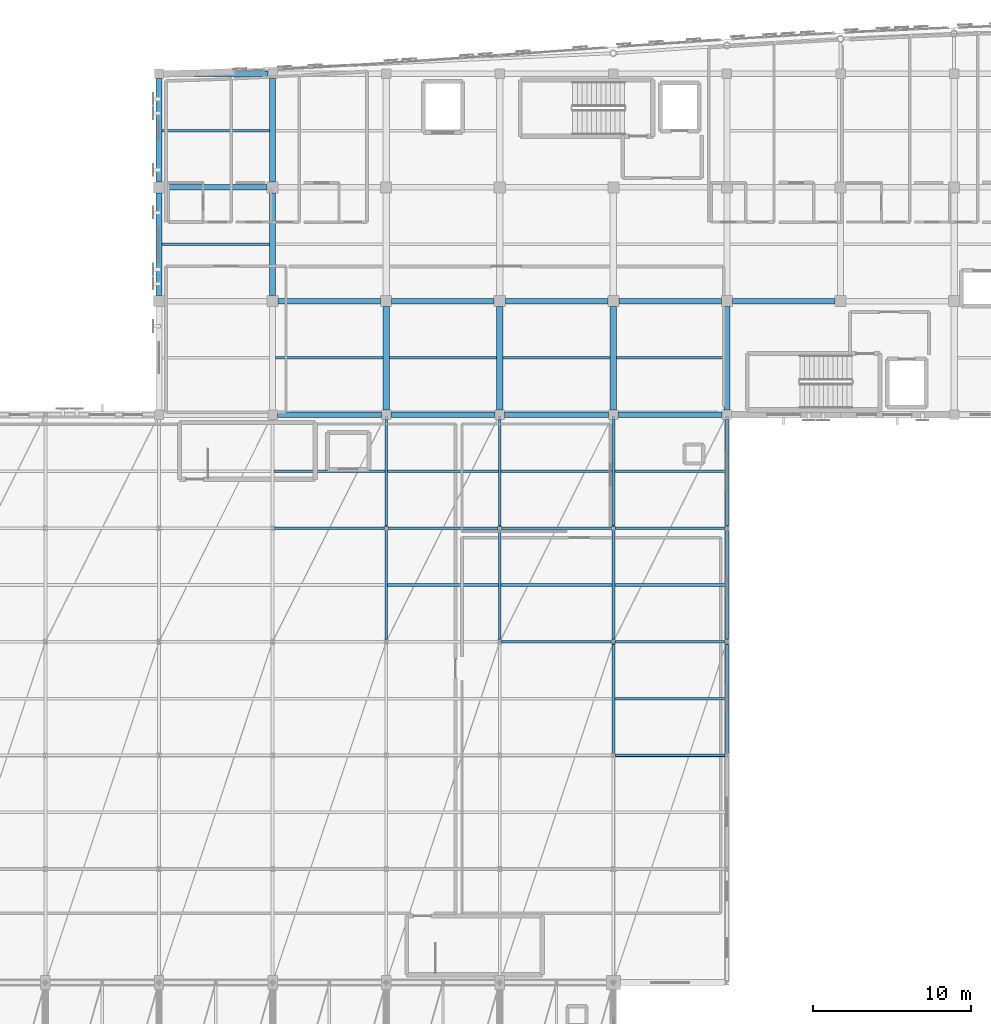
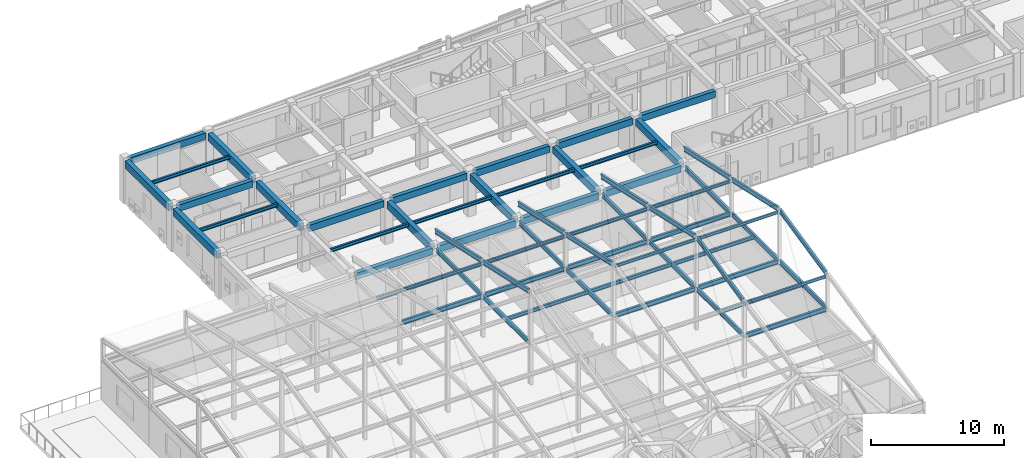
# One storey, part 33 of 113: 60 beams, 7 members.
"""IFC4 building model written with IfcOpenShell, lengths in metres."""

from ifc_helpers import new_model, si_unit, direction, frame, origin, origin_2d, place, context, subcontext, project, spatial, rectangle, i_section, extrude, material, material_profile, profile_set, type_object, element, save


model = new_model("IFC4")

# Units and contexts
model_context = context("Model", 3, precision=1e-05, world=origin(), true_north=direction((0.0, 1.0)))
body_context = subcontext(model_context, "Body", "Model", "MODEL_VIEW")
ifc_project = project(units=[si_unit("LENGTHUNIT", "METRE"), si_unit("AREAUNIT", "SQUARE_METRE"), si_unit("VOLUMEUNIT", "CUBIC_METRE"), si_unit("PLANEANGLEUNIT", "RADIAN"), si_unit("MASSUNIT", "GRAM", prefix="KILO")], contexts=[model_context])

# Site, building, storey
site_placement = place(None, origin())
site = spatial("IfcSite", under=ifc_project, at=site_placement, CompositionType="ELEMENT")
building_placement = place(site_placement, origin())
building = spatial("IfcBuilding", under=site, at=building_placement, Name="Carrowvane Square Congress Hotel", CompositionType="ELEMENT")
storey_placement = place(building_placement, frame((0.0, 0.0, 15.0)))
storey = spatial("IfcBuildingStorey", under=building, at=storey_placement, Name="L03", CompositionType="ELEMENT", Elevation=15.0)

# Beams
ifc_material_1 = material(Name="Concrete C35/45", Category="concrete")
ifc_material_profile_1 = material_profile(ifc_material_1, rectangle(XDim=0.35009765625, YDim=0.60009765625, at=origin_2d()), Name="RC 350x600")
ifc_profile_set_1 = profile_set([ifc_material_profile_1], Name="Concrete C35/45")
beam_type_1 = type_object("IfcBeamType", Name="BM-RC-350x600", PredefinedType="BEAM", material=ifc_profile_set_1)
for number, where, z_axis, x_axis, name in (
    (1, (40.699951171875, 91.800048828125, 3.639892578125), (1.0, 0.0, 0.0), (0.0, 1.0, 0.0), "L04 girder N/5-6"),
    (2, (47.89990234375, 91.800048828125, 3.639892578125), (1.0, 0.0, 0.0), (0.0, 1.0, 0.0), "L04 girder N/6-7"),
):
    element("IfcBeam", number, at=place(storey_placement, frame(where, z_axis=z_axis, x_axis=x_axis)), inside=storey, type_object=beam_type_1, Name=name, PredefinedType="BEAM", context=body_context, shape_type="SweptSolid", body=[
        extrude(rectangle(XDim=0.35009765625, YDim=0.60009765625, at=origin_2d()), origin(), (0.0, 0.0, 1.0), 6.60009765625),
    ])
for number, where, z_axis, x_axis, name in (
    (3, (55.10009765625, 91.800048828125, 3.639892578125), (1.0, 0.0, 0.0), (0.0, 1.0, 0.0), "L04 girder N/7-8"),
    (4, (62.300048828125, 91.800048828125, 3.639892578125), (1.0, 0.0, 0.0), (0.0, 1.0, 0.0), "L04 girder N/8-9"),
):
    element("IfcBeam", number, at=place(storey_placement, frame(where, z_axis=z_axis, x_axis=x_axis)), inside=storey, type_object=beam_type_1, Name=name, PredefinedType="BEAM", context=body_context, shape_type="SweptSolid", body=[
        extrude(rectangle(XDim=0.35009765625, YDim=0.60009765625, at=origin_2d()), origin(), (0.0, 0.0, 1.0), 6.599853515625),
    ])
for number, where, z_axis, x_axis, name in (
    (5, (40.75, 99.0, 3.639892578125), (1.0, 0.0, 0.0), (0.0, 1.0, 0.0), "L04 girder P/5-6"),
    (6, (47.949951171875, 99.0, 3.639892578125), (1.0, 0.0, 0.0), (0.0, 1.0, 0.0), "L04 girder P/6-7"),
    (7, (55.14990234375, 99.0, 3.639892578125), (1.0, 0.0, 0.0), (0.0, 1.0, 0.0), "L04 girder P/7-8"),
    (8, (62.35009765625, 99.0, 3.639892578125), (1.0, 0.0, 0.0), (0.0, 1.0, 0.0), "L04 girder P/8-9"),
    (9, (69.550048828125, 99.0, 3.639892578125), (1.0, 0.0, 0.0), (0.0, 1.0, 0.0), "L04 girder P/9-10"),
    (10, (33.550048828125, 106.199951171875, 3.639892578125), (1.0, 0.0, 0.0), (0.0, 1.0, 0.0), "L04 girder Q/4-5"),
):
    element("IfcBeam", number, at=place(storey_placement, frame(where, z_axis=z_axis, x_axis=x_axis)), inside=storey, type_object=beam_type_1, Name=name, PredefinedType="BEAM", context=body_context, shape_type="SweptSolid", body=[
        extrude(rectangle(XDim=0.35009765625, YDim=0.60009765625, at=origin_2d()), origin(), (0.0, 0.0, 1.0), 6.5),
    ])
beam_1_placement = place(storey_placement, frame((33.5, 113.39990234375, 3.639892578125), z_axis=(1.0, 0.0, 0.0), x_axis=(0.0, 1.0, 0.0)))
element("IfcBeam", 11, at=beam_1_placement, inside=storey, type_object=beam_type_1, Name="L04 girder R/4-5", PredefinedType="BEAM", context=body_context, shape_type="SweptSolid", body=[
    extrude(rectangle(XDim=0.35009765625, YDim=0.60009765625, at=origin_2d()), origin(), (0.0, 0.0, 1.0), 6.60009765625),
])
ifc_material_2 = material(Name="Concrete C35/45", Category="concrete")
ifc_material_profile_2 = material_profile(ifc_material_2, rectangle(XDim=0.39990234375, YDim=0.64990234375, at=origin_2d()), Name="RC 400x650")
ifc_profile_set_2 = profile_set([ifc_material_profile_2], Name="Concrete C35/45")
beam_type_2 = type_object("IfcBeamType", Name="BM-RC-400x650", PredefinedType="BEAM", material=ifc_profile_set_2)
beam_2_placement = place(storey_placement, frame((33.199951171875, 99.35009765625, 3.614990234375), z_axis=(0.0, 1.0, 0.0), x_axis=(-1.0, 0.0, 0.0)))
element("IfcBeam", 12, at=beam_2_placement, inside=storey, type_object=beam_type_2, Name="L04 girder 4/P-Q", PredefinedType="BEAM", context=body_context, shape_type="SweptSolid", body=[
    extrude(rectangle(XDim=0.39990234375, YDim=0.64990234375, at=origin_2d()), origin(), (0.0, 0.0, 1.0), 6.5),
])
beam_3_placement = place(storey_placement, frame((33.199951171875, 106.550048828125, 3.614990234375), z_axis=(0.0, 1.0, 0.0), x_axis=(-1.0, 0.0, 0.0)))
element("IfcBeam", 13, at=beam_3_placement, inside=storey, type_object=beam_type_2, Name="L04 girder 4/Q-R", PredefinedType="BEAM", context=body_context, shape_type="SweptSolid", body=[
    extrude(rectangle(XDim=0.39990234375, YDim=0.64990234375, at=origin_2d()), origin(), (0.0, 0.0, 1.0), 6.550048828125),
])
beam_4_placement = place(storey_placement, frame((40.39990234375, 99.35009765625, 3.614990234375), z_axis=(0.0, 1.0, 0.0), x_axis=(-1.0, 0.0, 0.0)))
element("IfcBeam", 14, at=beam_4_placement, inside=storey, type_object=beam_type_2, Name="L04 girder 5/P-Q", PredefinedType="BEAM", context=body_context, shape_type="SweptSolid", body=[
    extrude(rectangle(XDim=0.39990234375, YDim=0.64990234375, at=origin_2d()), origin(), (0.0, 0.0, 1.0), 6.5),
])
beam_5_placement = place(storey_placement, frame((40.39990234375, 106.550048828125, 3.614990234375), z_axis=(0.0, 1.0, 0.0), x_axis=(-1.0, 0.0, 0.0)))
element("IfcBeam", 15, at=beam_5_placement, inside=storey, type_object=beam_type_2, Name="L04 girder 5/Q-R", PredefinedType="BEAM", context=body_context, shape_type="SweptSolid", body=[
    extrude(rectangle(XDim=0.39990234375, YDim=0.64990234375, at=origin_2d()), origin(), (0.0, 0.0, 1.0), 6.550048828125),
])
for number, where, z_axis, x_axis, name in (
    (16, (47.60009765625, 92.10009765625, 3.614990234375), (0.0, 1.0, 0.0), (-1.0, 0.0, 0.0), "L04 girder 6/N-P"),
    (17, (54.800048828125, 92.10009765625, 3.614990234375), (0.0, 1.0, 0.0), (-1.0, 0.0, 0.0), "L04 girder 7/N-P"),
    (18, (62.0, 92.10009765625, 3.614990234375), (0.0, 1.0, 0.0), (-1.0, 0.0, 0.0), "L04 girder 8/N-P"),
    (19, (69.199951171875, 92.10009765625, 3.614990234375), (0.0, 1.0, 0.0), (-1.0, 0.0, 0.0), "L04 girder 9/N-P"),
):
    element("IfcBeam", number, at=place(storey_placement, frame(where, z_axis=z_axis, x_axis=x_axis)), inside=storey, type_object=beam_type_2, Name=name, PredefinedType="BEAM", context=body_context, shape_type="SweptSolid", body=[
        extrude(rectangle(XDim=0.39990234375, YDim=0.64990234375, at=origin_2d()), origin(), (0.0, 0.0, 1.0), 6.5498046875),
    ])
ifc_material_3 = material(Name="Steel S355", Category="steel")
ifc_material_profile_3 = material_profile(ifc_material_3, i_section(OverallWidth=0.165771484375, OverallDepth=0.306640625, WebThickness=0.006591796875, FlangeThickness=0.01171875, FilletRadius=0.0087890625, at=origin_2d()), Name="UKB 305x165x46")
ifc_profile_set_3 = profile_set([ifc_material_profile_3], Name="Steel S355")
beam_type_3 = type_object("IfcBeamType", Name="BM-ST-UKB305", PredefinedType="JOIST", material=ifc_profile_set_3)
for number, where, z_axis, x_axis, name in (
    (20, (33.39990234375, 102.60009765625, 3.78662109375), (1.0, 0.0, 0.0), (0.0, 1.0, 0.0), "L04 secondary joist 4-5"),
    (21, (33.39990234375, 109.800048828125, 3.78662109375), (1.0, 0.0, 0.0), (0.0, 1.0, 0.0), "L04 secondary joist 4-5"),
):
    element("IfcBeam", number, at=place(storey_placement, frame(where, z_axis=z_axis, x_axis=x_axis)), inside=storey, type_object=beam_type_3, Name=name, PredefinedType="JOIST", context=body_context, shape_type="SweptSolid", body=[
        extrude(i_section(OverallWidth=0.165771484375, OverallDepth=0.306640625, WebThickness=0.006591796875, FlangeThickness=0.01171875, FilletRadius=0.0087890625, at=origin_2d()), origin(), (0.0, 0.0, 1.0), 6.800048828125),
    ])
beam_6_placement = place(storey_placement, frame((40.489501953125, 88.199951171875, 3.78662109375), z_axis=(1.0, 0.0, 0.0), x_axis=(0.0, 1.0, 0.0)))
element("IfcBeam", 22, at=beam_6_placement, inside=storey, type_object=beam_type_3, Name="L04 secondary joist 5-6", PredefinedType="JOIST", context=body_context, shape_type="SweptSolid", body=[
    extrude(i_section(OverallWidth=0.165771484375, OverallDepth=0.306640625, WebThickness=0.006591796875, FlangeThickness=0.01171875, FilletRadius=0.0087890625, at=origin_2d()), origin(), (0.0, 0.0, 1.0), 7.02099609375),
])
beam_7_placement = place(storey_placement, frame((40.60009765625, 95.39990234375, 3.78662109375), z_axis=(1.0, 0.0, 0.0), x_axis=(0.0, 1.0, 0.0)))
element("IfcBeam", 23, at=beam_7_placement, inside=storey, type_object=beam_type_3, Name="L04 secondary joist 5-6", PredefinedType="JOIST", context=body_context, shape_type="SweptSolid", body=[
    extrude(i_section(OverallWidth=0.165771484375, OverallDepth=0.306640625, WebThickness=0.006591796875, FlangeThickness=0.01171875, FilletRadius=0.0087890625, at=origin_2d()), origin(), (0.0, 0.0, 1.0), 6.7998046875),
])
for number, where, z_axis, x_axis, name in (
    (24, (47.689453125, 81.0, 3.78662109375), (1.0, 0.0, 0.0), (0.0, 1.0, 0.0), "L04 secondary joist 6-7"),
    (25, (47.689453125, 88.199951171875, 3.78662109375), (1.0, 0.0, 0.0), (0.0, 1.0, 0.0), "L04 secondary joist 6-7"),
):
    element("IfcBeam", number, at=place(storey_placement, frame(where, z_axis=z_axis, x_axis=x_axis)), inside=storey, type_object=beam_type_3, Name=name, PredefinedType="JOIST", context=body_context, shape_type="SweptSolid", body=[
        extrude(i_section(OverallWidth=0.165771484375, OverallDepth=0.306640625, WebThickness=0.006591796875, FlangeThickness=0.01171875, FilletRadius=0.0087890625, at=origin_2d()), origin(), (0.0, 0.0, 1.0), 7.021240234375),
    ])
beam_8_placement = place(storey_placement, frame((47.800048828125, 95.39990234375, 3.78662109375), z_axis=(1.0, 0.0, 0.0), x_axis=(0.0, 1.0, 0.0)))
element("IfcBeam", 26, at=beam_8_placement, inside=storey, type_object=beam_type_3, Name="L04 secondary joist 6-7", PredefinedType="JOIST", context=body_context, shape_type="SweptSolid", body=[
    extrude(i_section(OverallWidth=0.165771484375, OverallDepth=0.306640625, WebThickness=0.006591796875, FlangeThickness=0.01171875, FilletRadius=0.0087890625, at=origin_2d()), origin(), (0.0, 0.0, 1.0), 6.800048828125),
])
for number, where, z_axis, x_axis, name in (
    (27, (54.889404296875, 81.0, 3.78662109375), (1.0, 0.0, 0.0), (0.0, 1.0, 0.0), "L04 secondary joist 7-8"),
    (28, (54.889404296875, 88.199951171875, 3.78662109375), (1.0, 0.0, 0.0), (0.0, 1.0, 0.0), "L04 secondary joist 7-8"),
):
    element("IfcBeam", number, at=place(storey_placement, frame(where, z_axis=z_axis, x_axis=x_axis)), inside=storey, type_object=beam_type_3, Name=name, PredefinedType="JOIST", context=body_context, shape_type="SweptSolid", body=[
        extrude(i_section(OverallWidth=0.165771484375, OverallDepth=0.306640625, WebThickness=0.006591796875, FlangeThickness=0.01171875, FilletRadius=0.0087890625, at=origin_2d()), origin(), (0.0, 0.0, 1.0), 7.021240234375),
    ])
beam_9_placement = place(storey_placement, frame((55.0, 95.39990234375, 3.78662109375), z_axis=(1.0, 0.0, 0.0), x_axis=(0.0, 1.0, 0.0)))
element("IfcBeam", 29, at=beam_9_placement, inside=storey, type_object=beam_type_3, Name="L04 secondary joist 7-8", PredefinedType="JOIST", context=body_context, shape_type="SweptSolid", body=[
    extrude(i_section(OverallWidth=0.165771484375, OverallDepth=0.306640625, WebThickness=0.006591796875, FlangeThickness=0.01171875, FilletRadius=0.0087890625, at=origin_2d()), origin(), (0.0, 0.0, 1.0), 6.800048828125),
])
for number, where, z_axis, x_axis, name in (
    (30, (62.08935546875, 73.800048828125, 3.78662109375), (1.0, 0.0, 0.0), (0.0, 1.0, 0.0), "L04 secondary joist 8-9"),
    (31, (62.08935546875, 81.0, 3.78662109375), (1.0, 0.0, 0.0), (0.0, 1.0, 0.0), "L04 secondary joist 8-9"),
    (32, (62.08935546875, 88.199951171875, 3.78662109375), (1.0, 0.0, 0.0), (0.0, 1.0, 0.0), "L04 secondary joist 8-9"),
):
    element("IfcBeam", number, at=place(storey_placement, frame(where, z_axis=z_axis, x_axis=x_axis)), inside=storey, type_object=beam_type_3, Name=name, PredefinedType="JOIST", context=body_context, shape_type="SweptSolid", body=[
        extrude(i_section(OverallWidth=0.165771484375, OverallDepth=0.306640625, WebThickness=0.006591796875, FlangeThickness=0.01171875, FilletRadius=0.0087890625, at=origin_2d()), origin(), (0.0, 0.0, 1.0), 7.021240234375),
    ])
beam_10_placement = place(storey_placement, frame((62.199951171875, 95.39990234375, 3.78662109375), z_axis=(1.0, 0.0, 0.0), x_axis=(0.0, 1.0, 0.0)))
element("IfcBeam", 33, at=beam_10_placement, inside=storey, type_object=beam_type_3, Name="L04 secondary joist 8-9", PredefinedType="JOIST", context=body_context, shape_type="SweptSolid", body=[
    extrude(i_section(OverallWidth=0.165771484375, OverallDepth=0.306640625, WebThickness=0.006591796875, FlangeThickness=0.01171875, FilletRadius=0.0087890625, at=origin_2d()), origin(), (0.0, 0.0, 1.0), 6.800048828125),
])
ifc_material_4 = material(Name="Steel S355", Category="steel")
ifc_material_profile_4 = material_profile(ifc_material_4, i_section(OverallWidth=0.1787109375, OverallDepth=0.409423828125, WebThickness=0.0087890625, FlangeThickness=0.014404296875, FilletRadius=0.01025390625, at=origin_2d()), Name="UKB 406x178x67")
ifc_profile_set_4 = profile_set([ifc_material_profile_4], Name="Steel S355")
beam_type_4 = type_object("IfcBeamType", Name="BM-ST-UKB406", PredefinedType="BEAM", material=ifc_profile_set_4)
for number, where, z_axis, x_axis, name in (
    (34, (62.128173828125, 70.199951171875, 3.7353515625), (1.0, 0.0, 0.0), (0.0, 1.0, 0.0), "L04 girder K/8-9"),
    (35, (54.92822265625, 77.39990234375, 3.7353515625), (1.0, 0.0, 0.0), (0.0, 1.0, 0.0), "L04 girder L/7-8"),
    (36, (62.128173828125, 77.39990234375, 3.7353515625), (1.0, 0.0, 0.0), (0.0, 1.0, 0.0), "L04 girder L/8-9"),
):
    element("IfcBeam", number, at=place(storey_placement, frame(where, z_axis=z_axis, x_axis=x_axis)), inside=storey, type_object=beam_type_4, Name=name, PredefinedType="BEAM", context=body_context, shape_type="SweptSolid", body=[
        extrude(i_section(OverallWidth=0.1787109375, OverallDepth=0.409423828125, WebThickness=0.0087890625, FlangeThickness=0.014404296875, FilletRadius=0.01025390625, at=origin_2d()), origin(), (0.0, 0.0, 1.0), 6.943603515625),
    ])
beam_11_placement = place(storey_placement, frame((40.528076171875, 84.60009765625, 3.7353515625), z_axis=(1.0, 0.0, 0.0), x_axis=(0.0, 1.0, 0.0)))
element("IfcBeam", 37, at=beam_11_placement, inside=storey, type_object=beam_type_4, Name="L04 girder M/5-6", PredefinedType="BEAM", context=body_context, shape_type="SweptSolid", body=[
    extrude(i_section(OverallWidth=0.1787109375, OverallDepth=0.409423828125, WebThickness=0.0087890625, FlangeThickness=0.014404296875, FilletRadius=0.01025390625, at=origin_2d()), origin(), (0.0, 0.0, 1.0), 6.94384765625),
])
for number, where, z_axis, x_axis, name in (
    (38, (47.728271484375, 84.60009765625, 3.7353515625), (1.0, 0.0, 0.0), (0.0, 1.0, 0.0), "L04 girder M/6-7"),
    (39, (54.92822265625, 84.60009765625, 3.7353515625), (1.0, 0.0, 0.0), (0.0, 1.0, 0.0), "L04 girder M/7-8"),
    (40, (62.128173828125, 84.60009765625, 3.7353515625), (1.0, 0.0, 0.0), (0.0, 1.0, 0.0), "L04 girder M/8-9"),
):
    element("IfcBeam", number, at=place(storey_placement, frame(where, z_axis=z_axis, x_axis=x_axis)), inside=storey, type_object=beam_type_4, Name=name, PredefinedType="BEAM", context=body_context, shape_type="SweptSolid", body=[
        extrude(i_section(OverallWidth=0.1787109375, OverallDepth=0.409423828125, WebThickness=0.0087890625, FlangeThickness=0.014404296875, FilletRadius=0.01025390625, at=origin_2d()), origin(), (0.0, 0.0, 1.0), 6.943603515625),
    ])
beam_12_placement = place(storey_placement, frame((47.60009765625, 77.530029296875, 3.7353515625), z_axis=(0.0, 1.0, 0.0), x_axis=(-1.0, 0.0, 0.0)))
element("IfcBeam", 41, at=beam_12_placement, inside=storey, type_object=beam_type_4, Name="L04 girder 6/L-M", PredefinedType="BEAM", context=body_context, shape_type="SweptSolid", body=[
    extrude(i_section(OverallWidth=0.1787109375, OverallDepth=0.409423828125, WebThickness=0.0087890625, FlangeThickness=0.014404296875, FilletRadius=0.01025390625, at=origin_2d()), origin(), (0.0, 0.0, 1.0), 6.93994140625),
])
beam_13_placement = place(storey_placement, frame((47.60009765625, 84.730224609375, 3.7353515625), z_axis=(0.0, 1.0, 0.0), x_axis=(-1.0, 0.0, 0.0)))
element("IfcBeam", 42, at=beam_13_placement, inside=storey, type_object=beam_type_4, Name="L04 girder 6/M-N", PredefinedType="BEAM", context=body_context, shape_type="SweptSolid", body=[
    extrude(i_section(OverallWidth=0.1787109375, OverallDepth=0.409423828125, WebThickness=0.0087890625, FlangeThickness=0.014404296875, FilletRadius=0.01025390625, at=origin_2d()), origin(), (0.0, 0.0, 1.0), 6.769775390625),
])
beam_14_placement = place(storey_placement, frame((54.800048828125, 77.530029296875, 3.7353515625), z_axis=(0.0, 1.0, 0.0), x_axis=(-1.0, 0.0, 0.0)))
element("IfcBeam", 43, at=beam_14_placement, inside=storey, type_object=beam_type_4, Name="L04 girder 7/L-M", PredefinedType="BEAM", context=body_context, shape_type="SweptSolid", body=[
    extrude(i_section(OverallWidth=0.1787109375, OverallDepth=0.409423828125, WebThickness=0.0087890625, FlangeThickness=0.014404296875, FilletRadius=0.01025390625, at=origin_2d()), origin(), (0.0, 0.0, 1.0), 6.93994140625),
])
beam_15_placement = place(storey_placement, frame((54.800048828125, 84.730224609375, 3.7353515625), z_axis=(0.0, 1.0, 0.0), x_axis=(-1.0, 0.0, 0.0)))
element("IfcBeam", 44, at=beam_15_placement, inside=storey, type_object=beam_type_4, Name="L04 girder 7/M-N", PredefinedType="BEAM", context=body_context, shape_type="SweptSolid", body=[
    extrude(i_section(OverallWidth=0.1787109375, OverallDepth=0.409423828125, WebThickness=0.0087890625, FlangeThickness=0.014404296875, FilletRadius=0.01025390625, at=origin_2d()), origin(), (0.0, 0.0, 1.0), 6.769775390625),
])
beam_16_placement = place(storey_placement, frame((62.0, 70.330078125, 3.7353515625), z_axis=(0.0, 1.0, 0.0), x_axis=(-1.0, 0.0, 0.0)))
element("IfcBeam", 45, at=beam_16_placement, inside=storey, type_object=beam_type_4, Name="L04 girder 8/K-L", PredefinedType="BEAM", context=body_context, shape_type="SweptSolid", body=[
    extrude(i_section(OverallWidth=0.1787109375, OverallDepth=0.409423828125, WebThickness=0.0087890625, FlangeThickness=0.014404296875, FilletRadius=0.01025390625, at=origin_2d()), origin(), (0.0, 0.0, 1.0), 6.939697265625),
])
beam_17_placement = place(storey_placement, frame((62.0, 77.530029296875, 3.7353515625), z_axis=(0.0, 1.0, 0.0), x_axis=(-1.0, 0.0, 0.0)))
element("IfcBeam", 46, at=beam_17_placement, inside=storey, type_object=beam_type_4, Name="L04 girder 8/L-M", PredefinedType="BEAM", context=body_context, shape_type="SweptSolid", body=[
    extrude(i_section(OverallWidth=0.1787109375, OverallDepth=0.409423828125, WebThickness=0.0087890625, FlangeThickness=0.014404296875, FilletRadius=0.01025390625, at=origin_2d()), origin(), (0.0, 0.0, 1.0), 6.93994140625),
])
beam_18_placement = place(storey_placement, frame((62.0, 84.730224609375, 3.7353515625), z_axis=(0.0, 1.0, 0.0), x_axis=(-1.0, 0.0, 0.0)))
element("IfcBeam", 47, at=beam_18_placement, inside=storey, type_object=beam_type_4, Name="L04 girder 8/M-N", PredefinedType="BEAM", context=body_context, shape_type="SweptSolid", body=[
    extrude(i_section(OverallWidth=0.1787109375, OverallDepth=0.409423828125, WebThickness=0.0087890625, FlangeThickness=0.014404296875, FilletRadius=0.01025390625, at=origin_2d()), origin(), (0.0, 0.0, 1.0), 6.769775390625),
])
beam_19_placement = place(storey_placement, frame((69.199951171875, 70.330078125, 3.7353515625), z_axis=(0.0, 1.0, 0.0), x_axis=(-1.0, 0.0, 0.0)))
element("IfcBeam", 48, at=beam_19_placement, inside=storey, type_object=beam_type_4, Name="L04 girder 9/K-L", PredefinedType="BEAM", context=body_context, shape_type="SweptSolid", body=[
    extrude(i_section(OverallWidth=0.1787109375, OverallDepth=0.409423828125, WebThickness=0.0087890625, FlangeThickness=0.014404296875, FilletRadius=0.01025390625, at=origin_2d()), origin(), (0.0, 0.0, 1.0), 6.939697265625),
])
beam_20_placement = place(storey_placement, frame((69.199951171875, 77.530029296875, 3.7353515625), z_axis=(0.0, 1.0, 0.0), x_axis=(-1.0, 0.0, 0.0)))
element("IfcBeam", 49, at=beam_20_placement, inside=storey, type_object=beam_type_4, Name="L04 girder 9/L-M", PredefinedType="BEAM", context=body_context, shape_type="SweptSolid", body=[
    extrude(i_section(OverallWidth=0.1787109375, OverallDepth=0.409423828125, WebThickness=0.0087890625, FlangeThickness=0.014404296875, FilletRadius=0.01025390625, at=origin_2d()), origin(), (0.0, 0.0, 1.0), 6.93994140625),
])
beam_21_placement = place(storey_placement, frame((69.199951171875, 84.730224609375, 3.7353515625), z_axis=(0.0, 1.0, 0.0), x_axis=(-1.0, 0.0, 0.0)))
element("IfcBeam", 50, at=beam_21_placement, inside=storey, type_object=beam_type_4, Name="L04 girder 9/M-N", PredefinedType="BEAM", context=body_context, shape_type="SweptSolid", body=[
    extrude(i_section(OverallWidth=0.1787109375, OverallDepth=0.409423828125, WebThickness=0.0087890625, FlangeThickness=0.014404296875, FilletRadius=0.01025390625, at=origin_2d()), origin(), (0.0, 0.0, 1.0), 6.769775390625),
])
for number, where, z_axis, x_axis, name in (
    (51, (47.60009765625, 77.52001953125, 8.43115234375), (0.0, 0.976671490173, -0.214738911899), (-1.0, 0.0, 0.0), "Spa lantern rafter 5.4"),
    (52, (47.60009765625, 84.719970703125, 6.90087890625), (0.0, 0.976664304443, -0.214771591292), (-1.0, 0.0, 0.0), "Spa lantern rafter 5.5"),
    (53, (54.800048828125, 77.52001953125, 8.43115234375), (0.0, 0.976671490173, -0.214738911899), (-1.0, 0.0, 0.0), "Spa lantern rafter 6.4"),
    (54, (54.800048828125, 84.719970703125, 6.90087890625), (0.0, 0.976664304443, -0.214771591292), (-1.0, 0.0, 0.0), "Spa lantern rafter 6.5"),
    (55, (62.0, 70.320068359375, 6.90087890625), (0.0, 0.976671490173, 0.214738911899), (-1.0, 0.0, 0.0), "Spa lantern rafter 7.3"),
    (56, (62.0, 77.52001953125, 8.43115234375), (0.0, 0.976671490173, -0.214738911899), (-1.0, 0.0, 0.0), "Spa lantern rafter 7.4"),
    (57, (62.0, 84.719970703125, 6.90087890625), (0.0, 0.976664304443, -0.214771591292), (-1.0, 0.0, 0.0), "Spa lantern rafter 7.5"),
    (58, (69.199951171875, 70.320068359375, 6.90087890625), (0.0, 0.976671490173, 0.214738911899), (-1.0, 0.0, 0.0), "Spa lantern rafter 8.3"),
    (59, (69.199951171875, 77.52001953125, 8.43115234375), (0.0, 0.976671490173, -0.214738911899), (-1.0, 0.0, 0.0), "Spa lantern rafter 8.4"),
    (60, (69.199951171875, 84.719970703125, 6.90087890625), (0.0, 0.976664304443, -0.214771591292), (-1.0, 0.0, 0.0), "Spa lantern rafter 8.5"),
):
    element("IfcBeam", number, at=place(storey_placement, frame(where, z_axis=z_axis, x_axis=x_axis)), inside=storey, type_object=beam_type_4, Name=name, PredefinedType="BEAM", context=body_context, shape_type="SweptSolid", body=[
        extrude(i_section(OverallWidth=0.1787109375, OverallDepth=0.409423828125, WebThickness=0.0087890625, FlangeThickness=0.014404296875, FilletRadius=0.01025390625, at=origin_2d()), origin(), (0.0, 0.0, 1.0), 7.126220703125),
    ])

# Members
ifc_material_5 = material(Name="Steel S355", Category="steel")
ifc_material_profile_5 = material_profile(ifc_material_5, i_section(OverallWidth=0.146484375, OverallDepth=0.256103515625, WebThickness=0.00634765625, FlangeThickness=0.010986328125, FilletRadius=0.007568359375, at=origin_2d()), Name="UKB 254x146x37")
ifc_profile_set_5 = profile_set([ifc_material_profile_5], Name="Steel S355")
member_type = type_object("IfcMemberType", Name="MEM-PR-UKB254", PredefinedType="PURLIN", material=ifc_profile_set_5)
for number, where, z_axis, x_axis, name in (
    (61, (62.1201171875, 70.199951171875, 6.720703125), (1.0, 0.0, 0.0), (0.0, 1.0, 0.0), "Spa roof purlin 2.7"),
    (62, (54.919921875, 77.39990234375, 8.251220703125), (1.0, 0.0, 0.0), (0.0, 1.0, 0.0), "Spa roof purlin 3.6"),
    (63, (62.1201171875, 77.39990234375, 8.251220703125), (1.0, 0.0, 0.0), (0.0, 1.0, 0.0), "Spa roof purlin 3.7"),
    (64, (40.52001953125, 84.60009765625, 6.720703125), (1.0, 0.0, 0.0), (0.0, 1.0, 0.0), "Spa roof purlin 4.4"),
    (65, (47.719970703125, 84.60009765625, 6.720703125), (1.0, 0.0, 0.0), (0.0, 1.0, 0.0), "Spa roof purlin 4.5"),
    (66, (54.919921875, 84.60009765625, 6.720703125), (1.0, 0.0, 0.0), (0.0, 1.0, 0.0), "Spa roof purlin 4.6"),
    (67, (62.1201171875, 84.60009765625, 6.720703125), (1.0, 0.0, 0.0), (0.0, 1.0, 0.0), "Spa roof purlin 4.7"),
):
    element("IfcMember", number, at=place(storey_placement, frame(where, z_axis=z_axis, x_axis=x_axis)), inside=storey, type_object=member_type, Name=name, PredefinedType="PURLIN", context=body_context, shape_type="SweptSolid", body=[
        extrude(i_section(OverallWidth=0.146484375, OverallDepth=0.256103515625, WebThickness=0.00634765625, FlangeThickness=0.010986328125, FilletRadius=0.007568359375, at=origin_2d()), origin(), (0.0, 0.0, 1.0), 6.9599609375),
    ])

save(model, "model.ifc")
